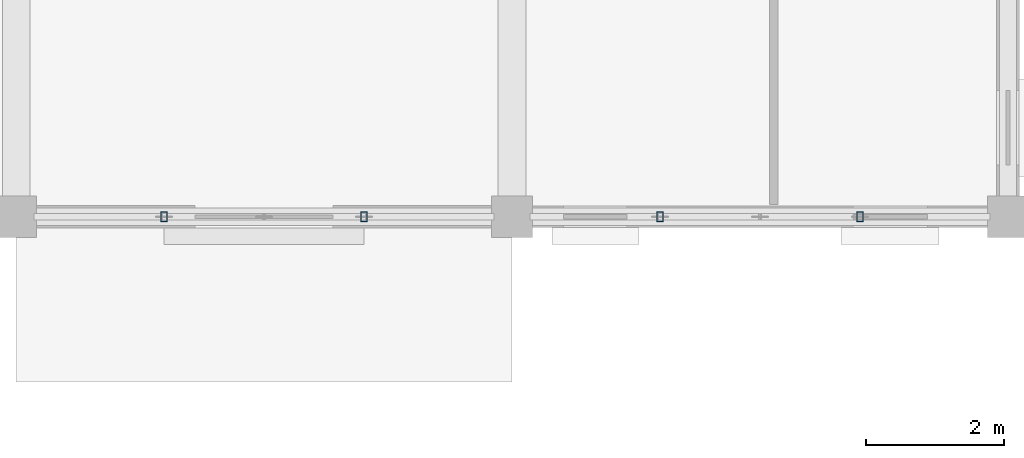
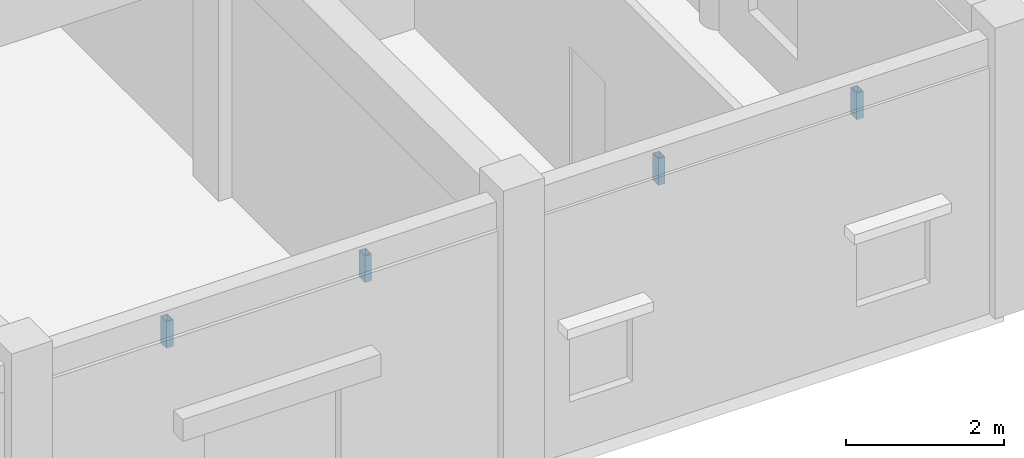
# One storey, part 57 of 138: 4 members.
"""IFC4 building model written with IfcOpenShell, lengths in metres."""

from ifc_helpers import new_model, si_unit, direction, frame, origin, origin_2d, place, context, subcontext, project, spatial, hollow_rectangle, extrude, material, material_profile, profile_set, type_object, element, save


model = new_model("IFC4")

# Units and contexts
model_context = context("Model", 3, precision=1e-05, world=origin(), true_north=direction((0.0, 1.0)))
body_context = subcontext(model_context, "Body", "Model", "MODEL_VIEW")
ifc_project = project(units=[si_unit("LENGTHUNIT", "METRE"), si_unit("AREAUNIT", "SQUARE_METRE"), si_unit("VOLUMEUNIT", "CUBIC_METRE"), si_unit("PLANEANGLEUNIT", "RADIAN"), si_unit("MASSUNIT", "GRAM", prefix="KILO"), si_unit("THERMODYNAMICTEMPERATUREUNIT", "KELVIN"), si_unit("POWERUNIT", "WATT")], contexts=[model_context])

# Site, building, storey
site_placement = place(None, origin())
site = spatial("IfcSite", under=ifc_project, at=site_placement, CompositionType="ELEMENT")
building_placement = place(site_placement, origin())
building = spatial("IfcBuilding", under=site, at=building_placement, Name="Tavuni Mirador Residences", CompositionType="ELEMENT")
storey_placement = place(building_placement, origin())
storey = spatial("IfcBuildingStorey", under=building, at=storey_placement, Name="L00", CompositionType="ELEMENT", Elevation=0.0)

# Members
ifc_material = material(Name="Structural steel S355", Category="steel")
ifc_material_profile = material_profile(ifc_material, hollow_rectangle(XDim=0.10009765625, YDim=0.14990234375, WallThickness=0.008056640625, at=origin_2d()), Name="RHS 150x100x8.0", Category="steel")
ifc_profile_set = profile_set([ifc_material_profile], Name="Structural steel S355")
member_type = type_object("IfcMemberType", Name="MT-BR-RHS150", PredefinedType="BRACE", material=ifc_profile_set)
for number, where, z_axis, x_axis, name in (
    (1, (63.347900390625, 144.0, 3.612060546875), (0.0, 0.0, 1.0), (1.0, 0.0, 0.0), "ARCH-BLKC-S-06-V1"),
    (2, (66.251953125, 144.0, 3.612060546875), (0.0, 0.0, 1.0), (1.0, 0.0, 0.0), "ARCH-BLKC-S-06-V2"),
    (3, (70.548095703125, 144.0, 3.612060546875), (0.0, 0.0, 1.0), (1.0, 0.0, 0.0), "ARCH-BLKC-S-07-V1"),
    (4, (73.451904296875, 144.0, 3.612060546875), (0.0, 0.0, 1.0), (1.0, 0.0, 0.0), "ARCH-BLKC-S-07-V2"),
):
    element("IfcMember", number, at=place(storey_placement, frame(where, z_axis=z_axis, x_axis=x_axis)), inside=storey, type_object=member_type, Name=name, PredefinedType="BRACE", context=body_context, shape_type="SweptSolid", body=[
        extrude(hollow_rectangle(XDim=0.10009765625, YDim=0.14990234375, WallThickness=0.008056640625, at=origin_2d()), origin(), (0.0, 0.0, 1.0), 0.412841796875),
    ])

save(model, "model.ifc")
